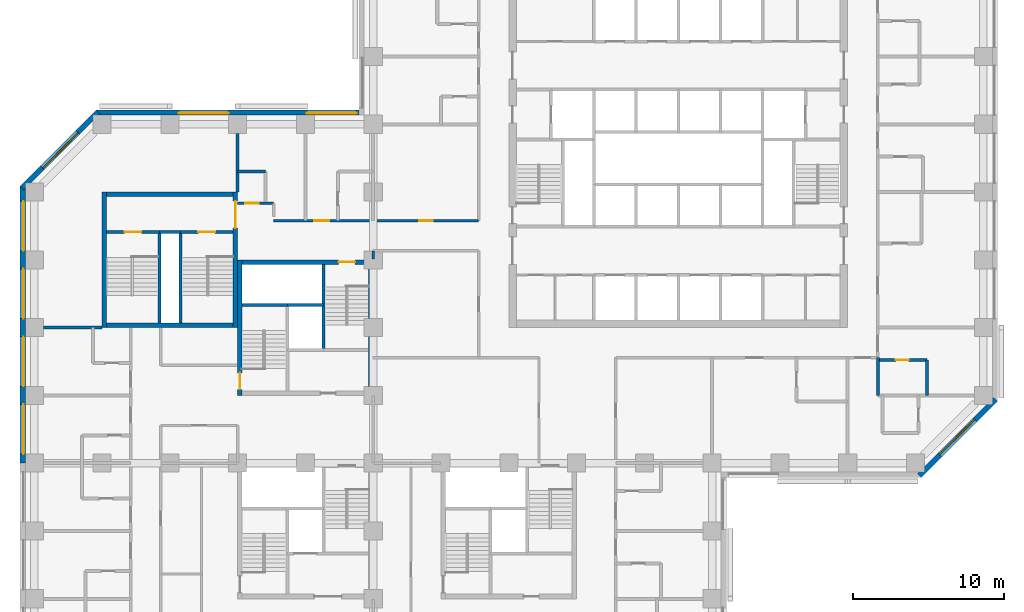
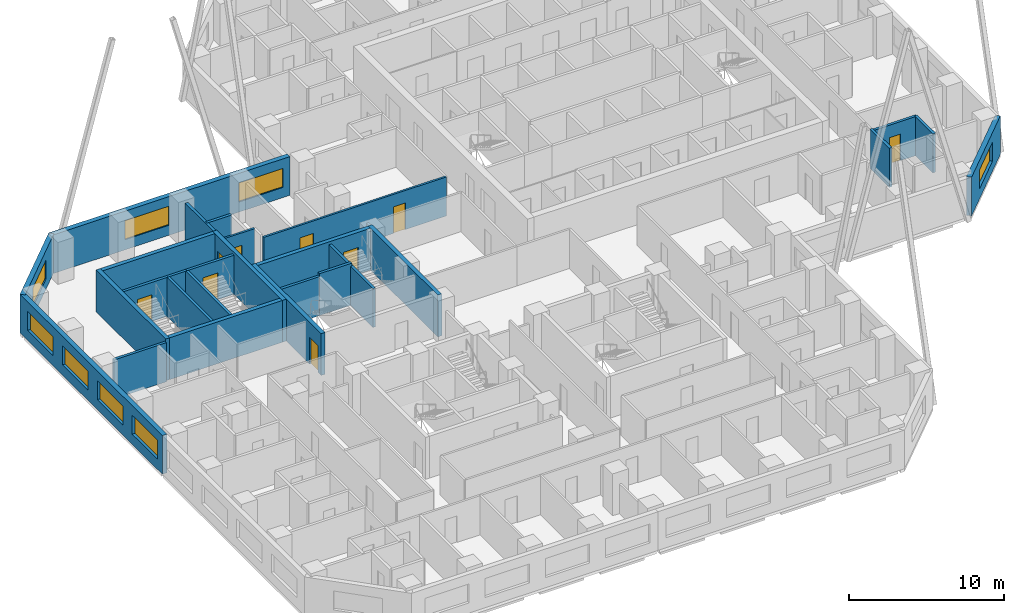
# One storey, part 7 of 14: 28 walls, 9 doors, 8 windows, 17 openings.
"""IFC4 building model written with IfcOpenShell, lengths in metres."""

from ifc_helpers import new_model, si_unit, direction, frame, frame_2d, origin, place, context, subcontext, project, spatial, rectangle, extrude, material, layer, layer_set, constituent, constituent_set, type_object, element, fill, save


model = new_model("IFC4")

# Units and contexts
model_context = context("Model", 3, precision=1e-05, world=origin(), true_north=direction((0.0, 1.0)))
body_context = subcontext(model_context, "Body", "Model", "MODEL_VIEW")
ifc_project = project(units=[si_unit("LENGTHUNIT", "METRE"), si_unit("AREAUNIT", "SQUARE_METRE"), si_unit("VOLUMEUNIT", "CUBIC_METRE"), si_unit("PLANEANGLEUNIT", "RADIAN"), si_unit("MASSUNIT", "GRAM", prefix="KILO")], contexts=[model_context])

# Site, building, storey
site_placement = place(None, origin())
site = spatial("IfcSite", under=ifc_project, at=site_placement, CompositionType="ELEMENT")
building_placement = place(site_placement, origin())
building = spatial("IfcBuilding", under=site, at=building_placement, Name="Quoin Convention Tower", CompositionType="ELEMENT")
storey_placement = place(building_placement, frame((0.0, 0.0, 66.0)))
storey = spatial("IfcBuildingStorey", under=building, at=storey_placement, Name="L17", CompositionType="ELEMENT", Elevation=66.0)

# Wall, opening, window
ifc_material_1 = material(Name="Brick masonry", Category="masonry")
ifc_layer_1 = layer(ifc_material_1, 0.35009765625)
ifc_layer_set_1 = layer_set([ifc_layer_1], Name="Brick masonry")
wall_type_1 = type_object("IfcWallType", Name="Brick facade wall", PredefinedType="STANDARD", material=ifc_layer_set_1)
wall_1_placement = place(storey_placement, frame((72.269775390625, 39.673583984375, 0.0), z_axis=(0.0, 0.0, 1.0), x_axis=(0.707106781187, 0.707106781187, 0.0)))
wall_1 = element("IfcWall", 1, at=wall_1_placement, inside=storey, type_object=wall_type_1, Name="fw-L17-72000_40500", PredefinedType="STANDARD", context=body_context, shape_type="SweptSolid", body=[
    extrude(rectangle(XDim=7.151123046875, YDim=0.35009765625, at=frame_2d((3.57568359375, 0.0))), origin(), (0.0, 0.0, 1.0), 3.054931640625),
])
opening_1_placement = place(wall_1_placement, frame((1.925537109375, 0.0, 0.800048828125)))
opening_1 = element("IfcOpeningElement", 2, at=opening_1_placement, cuts=wall_1, Name="Opening W-01", PredefinedType="OPENING", context=body_context, shape_type="SweptSolid", body=[
    extrude(rectangle(XDim=3.300048828125, YDim=1.5, at=frame_2d((1.64990234375, 0.75))), frame((0.0, 0.18505859375, 0.0), z_axis=(0.0, -1.0, 0.0), x_axis=(1.0, 0.0, 0.0)), (0.0, 0.0, 1.0), 0.3701171875),
])
ifc_material_2 = material(Name="Aluminium", Category="aluminium")
ifc_constituent_1 = constituent(ifc_material_2, Name="Frame")
ifc_material_3 = material(Name="Insulated glass", Category="glass")
ifc_constituent_2 = constituent(ifc_material_3, Name="Glazing")
ifc_constituent_set = constituent_set(constituents=[ifc_constituent_1, ifc_constituent_2], Name="Aluminium")
window_type = type_object("IfcWindowType", Name="Hotel strip window", PartitioningType="DOUBLE_PANEL_VERTICAL", PredefinedType="WINDOW", material=ifc_constituent_set)
window_1_placement = place(opening_1_placement, origin())
window_1 = element("IfcWindow", 3, at=window_1_placement, inside=storey, type_object=window_type, Name="win-L17-74798_42202", OverallHeight=1.5, OverallWidth=3.300048828125, PartitioningType="SINGLE_PANEL", PredefinedType="WINDOW", context=body_context, shape_type="SweptSolid", body=[
    extrude(rectangle(XDim=3.300048828125, YDim=1.5, at=frame_2d((1.64990234375, 0.75))), frame((0.0, 0.0849609375, 0.0), z_axis=(0.0, -1.0, 0.0), x_axis=(1.0, 0.0, 0.0)), (0.0, 0.0, 1.0), 0.06005859375),
])
fill(opening_1, window_1)

# Wall, openings, windows
wall_2_placement = place(storey_placement, frame((35.39990234375, 63.77490234375, 0.0), z_axis=(0.0, 0.0, 1.0), x_axis=(-1.0, 0.0, 0.0)))
wall_2 = element("IfcWall", 4, at=wall_2_placement, inside=storey, type_object=wall_type_1, Name="fw-L17-36000_63000", PredefinedType="STANDARD", context=body_context, shape_type="SweptSolid", body=[
    extrude(rectangle(XDim=17.79345703125, YDim=0.35009765625, at=frame_2d((8.896728515625, 0.0))), origin(), (0.0, 0.0, 1.0), 3.054931640625),
])
opening_2_placement = place(wall_2_placement, frame((0.5, 0.0, 0.800048828125)))
opening_2 = element("IfcOpeningElement", 5, at=opening_2_placement, cuts=wall_2, Name="Opening W-01", PredefinedType="OPENING", context=body_context, shape_type="SweptSolid", body=[
    extrude(rectangle(XDim=3.300048828125, YDim=1.5, at=frame_2d((1.64990234375, 0.75))), frame((0.0, 0.18505859375, 0.0), z_axis=(0.0, -1.0, 0.0), x_axis=(1.0, 0.0, 0.0)), (0.0, 0.0, 1.0), 0.3701171875),
])
opening_3_placement = place(wall_2_placement, frame((9.0, 0.0, 0.800048828125)))
opening_3 = element("IfcOpeningElement", 6, at=opening_3_placement, cuts=wall_2, Name="Opening W-01", PredefinedType="OPENING", context=body_context, shape_type="SweptSolid", body=[
    extrude(rectangle(XDim=3.300048828125, YDim=1.5, at=frame_2d((1.64990234375, 0.75))), frame((0.0, 0.18505859375, 0.0), z_axis=(0.0, -1.0, 0.0), x_axis=(1.0, 0.0, 0.0)), (0.0, 0.0, 1.0), 0.3701171875),
])
window_2_placement = place(opening_2_placement, origin())
window_2 = element("IfcWindow", 7, at=window_2_placement, inside=storey, type_object=window_type, Name="win-L17-33750_63775", OverallHeight=1.5, OverallWidth=3.300048828125, PartitioningType="SINGLE_PANEL", PredefinedType="WINDOW", context=body_context, shape_type="SweptSolid", body=[
    extrude(rectangle(XDim=3.300048828125, YDim=1.5, at=frame_2d((1.64990234375, 0.75))), frame((0.0, 0.0849609375, 0.0), z_axis=(0.0, -1.0, 0.0), x_axis=(1.0, 0.0, 0.0)), (0.0, 0.0, 1.0), 0.06005859375),
])
fill(opening_2, window_2)
window_3_placement = place(opening_3_placement, origin())
window_3 = element("IfcWindow", 8, at=window_3_placement, inside=storey, type_object=window_type, Name="win-L17-24750_63775", OverallHeight=1.5, OverallWidth=3.300048828125, PartitioningType="SINGLE_PANEL", PredefinedType="WINDOW", context=body_context, shape_type="SweptSolid", body=[
    extrude(rectangle(XDim=3.300048828125, YDim=1.5, at=frame_2d((1.64990234375, 0.75))), frame((0.0, 0.0849609375, 0.0), z_axis=(0.0, -1.0, 0.0), x_axis=(1.0, 0.0, 0.0)), (0.0, 0.0, 1.0), 0.06005859375),
])
fill(opening_3, window_3)

# Wall, opening, window
wall_3_placement = place(storey_placement, frame((17.730224609375, 63.826416015625, 0.0), z_axis=(0.0, 0.0, 1.0), x_axis=(-0.707106781187, -0.707106781187, 0.0)))
wall_3 = element("IfcWall", 9, at=wall_3_placement, inside=storey, type_object=wall_type_1, Name="fw-L17-18000_63000", PredefinedType="STANDARD", context=body_context, shape_type="SweptSolid", body=[
    extrude(rectangle(XDim=7.151123046875, YDim=0.35009765625, at=frame_2d((3.57568359375, 0.0))), origin(), (0.0, 0.0, 1.0), 3.054931640625),
])
opening_4_placement = place(wall_3_placement, frame((1.925537109375, 0.0, 0.800048828125)))
opening_4 = element("IfcOpeningElement", 10, at=opening_4_placement, cuts=wall_3, Name="Opening W-01", PredefinedType="OPENING", context=body_context, shape_type="SweptSolid", body=[
    extrude(rectangle(XDim=3.300048828125, YDim=1.5, at=frame_2d((1.64990234375, 0.75))), frame((0.0, 0.18505859375, 0.0), z_axis=(0.0, -1.0, 0.0), x_axis=(1.0, 0.0, 0.0)), (0.0, 0.0, 1.0), 0.3701171875),
])
window_4_placement = place(opening_4_placement, origin())
window_4 = element("IfcWindow", 11, at=window_4_placement, inside=storey, type_object=window_type, Name="win-L17-15202_61298", OverallHeight=1.5, OverallWidth=3.300048828125, PartitioningType="SINGLE_PANEL", PredefinedType="WINDOW", context=body_context, shape_type="SweptSolid", body=[
    extrude(rectangle(XDim=3.300048828125, YDim=1.5, at=frame_2d((1.64990234375, 0.75))), frame((0.0, 0.0849609375, 0.0), z_axis=(0.0, -1.0, 0.0), x_axis=(1.0, 0.0, 0.0)), (0.0, 0.0, 1.0), 0.06005859375),
])
fill(opening_4, window_4)

# Wall, openings, windows
wall_4_placement = place(storey_placement, frame((12.72509765625, 58.8935546875, 0.0), z_axis=(0.0, 0.0, 1.0), x_axis=(0.0, -1.0, 0.0)))
wall_4 = element("IfcWall", 12, at=wall_4_placement, inside=storey, type_object=wall_type_1, Name="fw-L17-13500_58500", PredefinedType="STANDARD", context=body_context, shape_type="SweptSolid", body=[
    extrude(rectangle(XDim=18.3935546875, YDim=0.35009765625, at=frame_2d((9.19677734375, 0.0))), origin(), (0.0, 0.0, 1.0), 3.054931640625),
])
opening_5_placement = place(wall_4_placement, frame((0.993408203125, 0.0, 0.800048828125)))
opening_5 = element("IfcOpeningElement", 13, at=opening_5_placement, cuts=wall_4, Name="Opening W-01", PredefinedType="OPENING", context=body_context, shape_type="SweptSolid", body=[
    extrude(rectangle(XDim=3.300048828125, YDim=1.5, at=frame_2d((1.64990234375, 0.75))), frame((0.0, 0.18505859375, 0.0), z_axis=(0.0, -1.0, 0.0), x_axis=(1.0, 0.0, 0.0)), (0.0, 0.0, 1.0), 0.3701171875),
])
opening_6_placement = place(wall_4_placement, frame((5.493408203125, 0.0, 0.800048828125)))
opening_6 = element("IfcOpeningElement", 14, at=opening_6_placement, cuts=wall_4, Name="Opening W-01", PredefinedType="OPENING", context=body_context, shape_type="SweptSolid", body=[
    extrude(rectangle(XDim=3.300048828125, YDim=1.5, at=frame_2d((1.64990234375, 0.75))), frame((0.0, 0.18505859375, 0.0), z_axis=(0.0, -1.0, 0.0), x_axis=(1.0, 0.0, 0.0)), (0.0, 0.0, 1.0), 0.3701171875),
])
opening_7_placement = place(wall_4_placement, frame((9.993408203125, 0.0, 0.800048828125)))
opening_7 = element("IfcOpeningElement", 15, at=opening_7_placement, cuts=wall_4, Name="Opening W-01", PredefinedType="OPENING", context=body_context, shape_type="SweptSolid", body=[
    extrude(rectangle(XDim=3.300048828125, YDim=1.5, at=frame_2d((1.64990234375, 0.75))), frame((0.0, 0.18505859375, 0.0), z_axis=(0.0, -1.0, 0.0), x_axis=(1.0, 0.0, 0.0)), (0.0, 0.0, 1.0), 0.3701171875),
])
opening_8_placement = place(wall_4_placement, frame((14.493408203125, 0.0, 0.800048828125)))
opening_8 = element("IfcOpeningElement", 16, at=opening_8_placement, cuts=wall_4, Name="Opening W-01", PredefinedType="OPENING", context=body_context, shape_type="SweptSolid", body=[
    extrude(rectangle(XDim=3.300048828125, YDim=1.5, at=frame_2d((1.64990234375, 0.75))), frame((0.0, 0.18505859375, 0.0), z_axis=(0.0, -1.0, 0.0), x_axis=(1.0, 0.0, 0.0)), (0.0, 0.0, 1.0), 0.3701171875),
])
window_5_placement = place(opening_5_placement, origin())
window_5 = element("IfcWindow", 17, at=window_5_placement, inside=storey, type_object=window_type, Name="win-L17-12725_56250", OverallHeight=1.5, OverallWidth=3.300048828125, PartitioningType="SINGLE_PANEL", PredefinedType="WINDOW", context=body_context, shape_type="SweptSolid", body=[
    extrude(rectangle(XDim=3.300048828125, YDim=1.5, at=frame_2d((1.64990234375, 0.75))), frame((0.0, 0.0849609375, 0.0), z_axis=(0.0, -1.0, 0.0), x_axis=(1.0, 0.0, 0.0)), (0.0, 0.0, 1.0), 0.06005859375),
])
fill(opening_5, window_5)
window_6_placement = place(opening_6_placement, origin())
window_6 = element("IfcWindow", 18, at=window_6_placement, inside=storey, type_object=window_type, Name="win-L17-12725_51750", OverallHeight=1.5, OverallWidth=3.300048828125, PartitioningType="SINGLE_PANEL", PredefinedType="WINDOW", context=body_context, shape_type="SweptSolid", body=[
    extrude(rectangle(XDim=3.300048828125, YDim=1.5, at=frame_2d((1.64990234375, 0.75))), frame((0.0, 0.0849609375, 0.0), z_axis=(0.0, -1.0, 0.0), x_axis=(1.0, 0.0, 0.0)), (0.0, 0.0, 1.0), 0.06005859375),
])
fill(opening_6, window_6)
window_7_placement = place(opening_7_placement, origin())
window_7 = element("IfcWindow", 19, at=window_7_placement, inside=storey, type_object=window_type, Name="win-L17-12725_47250", OverallHeight=1.5, OverallWidth=3.300048828125, PartitioningType="SINGLE_PANEL", PredefinedType="WINDOW", context=body_context, shape_type="SweptSolid", body=[
    extrude(rectangle(XDim=3.300048828125, YDim=1.5, at=frame_2d((1.64990234375, 0.75))), frame((0.0, 0.0849609375, 0.0), z_axis=(0.0, -1.0, 0.0), x_axis=(1.0, 0.0, 0.0)), (0.0, 0.0, 1.0), 0.06005859375),
])
fill(opening_7, window_7)
window_8_placement = place(opening_8_placement, origin())
window_8 = element("IfcWindow", 20, at=window_8_placement, inside=storey, type_object=window_type, Name="win-L17-12725_42750", OverallHeight=1.5, OverallWidth=3.300048828125, PartitioningType="SINGLE_PANEL", PredefinedType="WINDOW", context=body_context, shape_type="SweptSolid", body=[
    extrude(rectangle(XDim=3.300048828125, YDim=1.5, at=frame_2d((1.64990234375, 0.75))), frame((0.0, 0.0849609375, 0.0), z_axis=(0.0, -1.0, 0.0), x_axis=(1.0, 0.0, 0.0)), (0.0, 0.0, 1.0), 0.06005859375),
])
fill(opening_8, window_8)

# Walls
ifc_material_4 = material(Name="Concrete C50", Category="concrete")
ifc_layer_2 = layer(ifc_material_4, 0.199951171875)
ifc_layer_set_2 = layer_set([ifc_layer_2], Name="Concrete C50")
wall_type_2 = type_object("IfcWallType", Name="Core shaft wall", PredefinedType="SOLIDWALL", material=ifc_layer_set_2)
wall_5_placement = place(storey_placement, frame((27.300048828125, 51.0, 0.0), z_axis=(0.0, 0.0, 1.0), x_axis=(1.0, 0.0, 0.0)))
element("IfcWall", 21, at=wall_5_placement, inside=storey, type_object=wall_type_2, Name="cr-P2-L17-h6000_300", PredefinedType="SOLIDWALL", context=body_context, shape_type="SweptSolid", body=[
    extrude(rectangle(XDim=3.0, YDim=0.199951171875, at=frame_2d((1.5, 0.0))), origin(), (0.0, 0.0, 1.0), 3.080078125),
])
wall_6_placement = place(storey_placement, frame((32.699951171875, 48.0, 0.0), z_axis=(0.0, 0.0, 1.0), x_axis=(0.0, 1.0, 0.0)))
element("IfcWall", 22, at=wall_6_placement, inside=storey, type_object=wall_type_2, Name="cr-P2-L17-v5700_3000", PredefinedType="SOLIDWALL", context=body_context, shape_type="SweptSolid", body=[
    extrude(rectangle(XDim=5.699951171875, YDim=0.199951171875, at=frame_2d((2.85009765625, 0.0))), origin(), (0.0, 0.0, 1.0), 3.080078125),
])
wall_7_placement = place(storey_placement, frame((21.800048828125, 55.85009765625, 0.0), z_axis=(0.0, 0.0, 1.0), x_axis=(1.0, 0.0, 0.0)))
element("IfcWall", 23, at=wall_7_placement, inside=storey, type_object=wall_type_2, Name="cr-P6-L17-h6350_3800", PredefinedType="SOLIDWALL", context=body_context, shape_type="SweptSolid", body=[
    extrude(rectangle(XDim=1.39990234375, YDim=0.199951171875, at=frame_2d((0.699951171875, 0.0))), origin(), (0.0, 0.0, 1.0), 3.080078125),
])

# Wall, opening, door
wall_8_placement = place(storey_placement, frame((18.300048828125, 55.85009765625, 0.0), z_axis=(0.0, 0.0, 1.0), x_axis=(1.0, 0.0, 0.0)))
wall_8 = element("IfcWall", 24, at=wall_8_placement, inside=storey, type_object=wall_type_2, Name="cr-P6-L17-h6350_300", PredefinedType="SOLIDWALL", context=body_context, shape_type="SweptSolid", body=[
    extrude(rectangle(XDim=3.5, YDim=0.199951171875, at=frame_2d((1.75, 0.0))), origin(), (0.0, 0.0, 1.0), 3.080078125),
])
opening_9_placement = place(wall_8_placement, frame((1.199951171875, 0.0, 0.0)))
opening_9 = element("IfcOpeningElement", 25, at=opening_9_placement, cuts=wall_8, Name="Opening SD11", PredefinedType="OPENING", context=body_context, shape_type="SweptSolid", body=[
    extrude(rectangle(XDim=1.10009765625, YDim=2.10009765625, at=frame_2d((0.550048828125, 1.050048828125))), frame((0.0, 0.10986328125, 0.0), z_axis=(0.0, -1.0, 0.0), x_axis=(1.0, 0.0, 0.0)), (0.0, 0.0, 1.0), 0.219970703125),
])
ifc_material_5 = material(Name="Steel door leaf", Category="steel")
door_type_1 = type_object("IfcDoorType", Name="Stair door 1100 x 2100", OperationType="SINGLE_SWING_RIGHT", PredefinedType="DOOR", material=ifc_material_5)
door_1_placement = place(opening_9_placement, origin())
door_1 = element("IfcDoor", 26, at=door_1_placement, inside=storey, type_object=door_type_1, Name="cd-P6-L17-SA-R2-SD11", OperationType="SINGLE_SWING_RIGHT", OverallHeight=2.10009765625, OverallWidth=1.10009765625, PredefinedType="DOOR", context=body_context, shape_type="SweptSolid", body=[
    extrude(rectangle(XDim=1.10009765625, YDim=2.10009765625, at=frame_2d((0.550048828125, 1.050048828125))), frame((0.0, 0.02490234375, 0.0), z_axis=(0.0, -1.0, 0.0), x_axis=(1.0, 0.0, 0.0)), (0.0, 0.0, 1.0), 0.050048828125),
])
fill(opening_9, door_1)

wall_9_placement = place(storey_placement, frame((23.199951171875, 55.85009765625, 0.0), z_axis=(0.0, 0.0, 1.0), x_axis=(1.0, 0.0, 0.0)))
wall_9 = element("IfcWall", 27, at=wall_9_placement, inside=storey, type_object=wall_type_2, Name="cr-P6-L17-h6350_5200", PredefinedType="SOLIDWALL", context=body_context, shape_type="SweptSolid", body=[
    extrude(rectangle(XDim=3.5, YDim=0.199951171875, at=frame_2d((1.75, 0.0))), origin(), (0.0, 0.0, 1.0), 3.080078125),
])
opening_10_placement = place(wall_9_placement, frame((1.199951171875, 0.0, 0.0)))
opening_10 = element("IfcOpeningElement", 28, at=opening_10_placement, cuts=wall_9, Name="Opening SD12", PredefinedType="OPENING", context=body_context, shape_type="SweptSolid", body=[
    extrude(rectangle(XDim=1.10009765625, YDim=2.10009765625, at=frame_2d((0.550048828125, 1.050048828125))), frame((0.0, 0.10986328125, 0.0), z_axis=(0.0, -1.0, 0.0), x_axis=(1.0, 0.0, 0.0)), (0.0, 0.0, 1.0), 0.219970703125),
])
door_2_placement = place(opening_10_placement, origin())
door_2 = element("IfcDoor", 29, at=door_2_placement, inside=storey, type_object=door_type_1, Name="cd-P6-L17-SB-R2-SD12", OperationType="SINGLE_SWING_RIGHT", OverallHeight=2.10009765625, OverallWidth=1.10009765625, PredefinedType="DOOR", context=body_context, shape_type="SweptSolid", body=[
    extrude(rectangle(XDim=1.10009765625, YDim=2.10009765625, at=frame_2d((0.550048828125, 1.050048828125))), frame((0.0, 0.02490234375, 0.0), z_axis=(0.0, -1.0, 0.0), x_axis=(1.0, 0.0, 0.0)), (0.0, 0.0, 1.0), 0.050048828125),
])
fill(opening_10, door_2)

# Walls
for number, where, z_axis, x_axis, name in (
    (30, (21.800048828125, 49.800048828125, 0.0), (0.0, 0.0, 1.0), (0.0, 1.0, 0.0), "cr-P6-L17-v3800_300"),
    (31, (23.199951171875, 49.800048828125, 0.0), (0.0, 0.0, 1.0), (0.0, 1.0, 0.0), "cr-P6-L17-v5200_300"),
):
    element("IfcWall", number, at=place(storey_placement, frame(where, z_axis=z_axis, x_axis=x_axis)), inside=storey, type_object=wall_type_2, Name=name, PredefinedType="SOLIDWALL", context=body_context, shape_type="SweptSolid", body=[
        extrude(rectangle(XDim=6.050048828125, YDim=0.199951171875, at=frame_2d((3.02490234375, 0.0))), origin(), (0.0, 0.0, 1.0), 3.080078125),
    ])
ifc_layer_3 = layer(ifc_material_4, 0.199951171875)
ifc_layer_set_3 = layer_set([ifc_layer_3], Name="Concrete C50")
wall_type_3 = type_object("IfcWallType", Name="Core shaft wall to the floor level over", PredefinedType="SOLIDWALL", material=ifc_layer_set_3)
wall_10_placement = place(storey_placement, frame((30.300048828125, 51.0, 0.0), z_axis=(0.0, 0.0, 1.0), x_axis=(1.0, 0.0, 0.0)))
element("IfcWall", 32, at=wall_10_placement, inside=storey, type_object=wall_type_3, Name="cr-P2-L17-h6000_3300", PredefinedType="SOLIDWALL", context=body_context, shape_type="SweptSolid", body=[
    extrude(rectangle(XDim=2.39990234375, YDim=0.199951171875, at=frame_2d((1.199951171875, 0.0))), origin(), (0.0, 0.0, 1.0), 3.300048828125),
])

# Wall, opening, door
ifc_material_6 = material(Name="Concrete C80", Category="concrete")
ifc_layer_4 = layer(ifc_material_6, 0.300048828125)
ifc_layer_set_4 = layer_set([ifc_layer_4], Name="Concrete C80")
wall_type_4 = type_object("IfcWallType", Name="RC CORE WALL 300 C80", PredefinedType="SHEAR", material=ifc_layer_set_4)
wall_11_placement = place(storey_placement, frame((27.300048828125, 53.85009765625, 0.0), z_axis=(0.0, 0.0, 1.0), x_axis=(1.0, 0.0, 0.0)))
wall_11 = element("IfcWall", 33, at=wall_11_placement, inside=storey, type_object=wall_type_4, Name="cwl-P2-L17-N", PredefinedType="SHEAR", context=body_context, shape_type="SweptSolid", body=[
    extrude(rectangle(XDim=8.39990234375, YDim=0.300048828125, at=frame_2d((4.199951171875, 0.0))), origin(), (0.0, 0.0, 1.0), 3.300048828125),
])
opening_11_placement = place(wall_11_placement, frame((6.39990234375, 0.0, 0.0)))
opening_11 = element("IfcOpeningElement", 34, at=opening_11_placement, cuts=wall_11, Name="Opening SD4", PredefinedType="OPENING", context=body_context, shape_type="SweptSolid", body=[
    extrude(rectangle(XDim=1.10009765625, YDim=2.10009765625, at=frame_2d((0.550048828125, 1.050048828125))), frame((0.0, 0.159912109375, 0.0), z_axis=(0.0, -1.0, 0.0), x_axis=(1.0, 0.0, 0.0)), (0.0, 0.0, 1.0), 0.320068359375),
])
door_3_placement = place(opening_11_placement, frame((1.10009765625, 0.0, 0.0), z_axis=(0.0, 0.0, 1.0), x_axis=(-1.0, 0.0, 0.0)))
door_3 = element("IfcDoor", 35, at=door_3_placement, inside=storey, type_object=door_type_1, Name="cd-P2-L17-SB-N", OperationType="SINGLE_SWING_LEFT", OverallHeight=2.10009765625, OverallWidth=1.10009765625, PredefinedType="DOOR", context=body_context, shape_type="SweptSolid", body=[
    extrude(rectangle(XDim=1.10009765625, YDim=2.10009765625, at=frame_2d((0.550048828125, 1.050048828125))), frame((0.0, 0.02490234375, 0.0), z_axis=(0.0, -1.0, 0.0), x_axis=(1.0, 0.0, 0.0)), (0.0, 0.0, 1.0), 0.050048828125),
])
fill(opening_11, door_3)

wall_12_placement = place(storey_placement, frame((27.14990234375, 45.0, 0.0), z_axis=(0.0, 0.0, 1.0), x_axis=(0.0, 1.0, 0.0)))
wall_12 = element("IfcWall", 36, at=wall_12_placement, inside=storey, type_object=wall_type_4, Name="cwl-P2-L17-W", PredefinedType="SHEAR", context=body_context, shape_type="SweptSolid", body=[
    extrude(rectangle(XDim=9.0, YDim=0.300048828125, at=frame_2d((4.5, 0.0))), origin(), (0.0, 0.0, 1.0), 3.300048828125),
])
opening_12_placement = place(wall_12_placement, frame((0.39990234375, 0.0, 0.0)))
opening_12 = element("IfcOpeningElement", 37, at=opening_12_placement, cuts=wall_12, Name="Opening SD3", PredefinedType="OPENING", context=body_context, shape_type="SweptSolid", body=[
    extrude(rectangle(XDim=1.10009765625, YDim=2.10009765625, at=frame_2d((0.550048828125, 1.050048828125))), frame((0.0, 0.159912109375, 0.0), z_axis=(0.0, -1.0, 0.0), x_axis=(1.0, 0.0, 0.0)), (0.0, 0.0, 1.0), 0.320068359375),
])
door_4_placement = place(opening_12_placement, frame((1.10009765625, 0.0, 0.0), z_axis=(0.0, 0.0, 1.0), x_axis=(-1.0, 0.0, 0.0)))
door_4 = element("IfcDoor", 38, at=door_4_placement, inside=storey, type_object=door_type_1, Name="cd-P2-L17-SA-W", OperationType="SINGLE_SWING_RIGHT", OverallHeight=2.10009765625, OverallWidth=1.10009765625, PredefinedType="DOOR", context=body_context, shape_type="SweptSolid", body=[
    extrude(rectangle(XDim=1.10009765625, YDim=2.10009765625, at=frame_2d((0.550048828125, 1.050048828125))), frame((0.0, 0.02490234375, 0.0), z_axis=(0.0, -1.0, 0.0), x_axis=(1.0, 0.0, 0.0)), (0.0, 0.0, 1.0), 0.050048828125),
])
fill(opening_12, door_4)

# Walls
wall_13_placement = place(storey_placement, frame((35.85009765625, 45.0, 0.0), z_axis=(0.0, 0.0, 1.0), x_axis=(0.0, 1.0, 0.0)))
element("IfcWall", 39, at=wall_13_placement, inside=storey, type_object=wall_type_4, Name="cwl-P2-L17-E", PredefinedType="SHEAR", context=body_context, shape_type="SweptSolid", body=[
    extrude(rectangle(XDim=9.0, YDim=0.300048828125, at=frame_2d((4.5, 0.0))), origin(), (0.0, 0.0, 1.0), 3.300048828125),
])
for number, where, z_axis, x_axis, name in (
    (40, (18.300048828125, 49.64990234375, 0.0), (0.0, 0.0, 1.0), (1.0, 0.0, 0.0), "cwl-P6-L17-S"),
    (41, (18.300048828125, 58.35009765625, 0.0), (0.0, 0.0, 1.0), (1.0, 0.0, 0.0), "cwl-P6-L17-N"),
):
    element("IfcWall", number, at=place(storey_placement, frame(where, z_axis=z_axis, x_axis=x_axis)), inside=storey, type_object=wall_type_4, Name=name, PredefinedType="SHEAR", context=body_context, shape_type="SweptSolid", body=[
        extrude(rectangle(XDim=8.39990234375, YDim=0.300048828125, at=frame_2d((4.199951171875, 0.0))), origin(), (0.0, 0.0, 1.0), 3.300048828125),
    ])
wall_14_placement = place(storey_placement, frame((18.14990234375, 49.5, 0.0), z_axis=(0.0, 0.0, 1.0), x_axis=(0.0, 1.0, 0.0)))
element("IfcWall", 42, at=wall_14_placement, inside=storey, type_object=wall_type_4, Name="cwl-P6-L17-W", PredefinedType="SHEAR", context=body_context, shape_type="SweptSolid", body=[
    extrude(rectangle(XDim=9.0, YDim=0.300048828125, at=frame_2d((4.5, 0.0))), origin(), (0.0, 0.0, 1.0), 3.300048828125),
])

# Wall, opening, door
wall_15_placement = place(storey_placement, frame((26.85009765625, 49.5, 0.0), z_axis=(0.0, 0.0, 1.0), x_axis=(0.0, 1.0, 0.0)))
wall_15 = element("IfcWall", 43, at=wall_15_placement, inside=storey, type_object=wall_type_4, Name="cwl-P6-L17-E", PredefinedType="SHEAR", context=body_context, shape_type="SweptSolid", body=[
    extrude(rectangle(XDim=9.0, YDim=0.300048828125, at=frame_2d((4.5, 0.0))), origin(), (0.0, 0.0, 1.0), 3.300048828125),
])
opening_13_placement = place(wall_15_placement, frame((6.60009765625, 0.0, 0.0)))
opening_13 = element("IfcOpeningElement", 44, at=opening_13_placement, cuts=wall_15, Name="Opening DCV0-64", PredefinedType="OPENING", context=body_context, shape_type="SweptSolid", body=[
    extrude(rectangle(XDim=1.800048828125, YDim=2.10009765625, at=frame_2d((0.89990234375, 1.050048828125))), frame((0.0, 0.159912109375, 0.0), z_axis=(0.0, -1.0, 0.0), x_axis=(1.0, 0.0, 0.0)), (0.0, 0.0, 1.0), 0.320068359375),
])
door_type_2 = type_object("IfcDoorType", Name="Goods lobby door 1800 x 2100", OperationType="SINGLE_SWING_LEFT", PredefinedType="DOOR", material=ifc_material_5)
door_5_placement = place(opening_13_placement, origin())
door_5 = element("IfcDoor", 45, at=door_5_placement, inside=storey, type_object=door_type_2, Name="cd-P6-L17-R2-E", OperationType="SINGLE_SWING_LEFT", OverallHeight=2.10009765625, OverallWidth=1.800048828125, PredefinedType="DOOR", context=body_context, shape_type="SweptSolid", body=[
    extrude(rectangle(XDim=1.800048828125, YDim=2.10009765625, at=frame_2d((0.89990234375, 1.050048828125))), frame((0.0, 0.02490234375, 0.0), z_axis=(0.0, -1.0, 0.0), x_axis=(1.0, 0.0, 0.0)), (0.0, 0.0, 1.0), 0.050048828125),
])
fill(opening_13, door_5)

# Walls
ifc_layer_5 = layer(ifc_material_4, 0.199951171875)
ifc_layer_set_5 = layer_set([ifc_layer_5], Name="Concrete C50")
wall_type_5 = type_object("IfcWallType", Name="RC party wall", PredefinedType="SOLIDWALL", material=ifc_layer_set_5)
wall_16_placement = place(storey_placement, frame((69.5, 45.0, 0.0), z_axis=(0.0, 0.0, 1.0), x_axis=(0.0, 1.0, 0.0)))
element("IfcWall", 46, at=wall_16_placement, inside=storey, type_object=wall_type_5, Name="pw-L17-082", PredefinedType="SOLIDWALL", context=body_context, shape_type="SweptSolid", body=[
    extrude(rectangle(XDim=2.5, YDim=0.199951171875, at=frame_2d((1.25, 0.0))), origin(), (0.0, 0.0, 1.0), 3.080078125),
])
wall_17_placement = place(storey_placement, frame((72.75, 45.0, 0.0), z_axis=(0.0, 0.0, 1.0), x_axis=(0.0, 1.0, 0.0)))
element("IfcWall", 47, at=wall_17_placement, inside=storey, type_object=wall_type_5, Name="pw-L17-083", PredefinedType="SOLIDWALL", context=body_context, shape_type="SweptSolid", body=[
    extrude(rectangle(XDim=2.35009765625, YDim=0.199951171875, at=frame_2d((1.175048828125, 0.0))), origin(), (0.0, 0.0, 1.0), 3.080078125),
])

# Wall, opening, door
wall_18_placement = place(storey_placement, frame((69.5, 47.35009765625, 0.0), z_axis=(0.0, 0.0, 1.0), x_axis=(1.0, 0.0, 0.0)))
wall_18 = element("IfcWall", 48, at=wall_18_placement, inside=storey, type_object=wall_type_5, Name="pw-L17-086", PredefinedType="SOLIDWALL", context=body_context, shape_type="SweptSolid", body=[
    extrude(rectangle(XDim=3.25, YDim=0.199951171875, at=frame_2d((1.625, 0.0))), origin(), (0.0, 0.0, 1.0), 3.080078125),
])
opening_14_placement = place(wall_18_placement, frame((1.199951171875, 0.0, 0.0)))
opening_14 = element("IfcOpeningElement", 49, at=opening_14_placement, cuts=wall_18, Name="Opening DHOTEL-G-61", PredefinedType="OPENING", context=body_context, shape_type="SweptSolid", body=[
    extrude(rectangle(XDim=0.85009765625, YDim=2.10009765625, at=frame_2d((0.425048828125, 1.050048828125))), frame((0.0, 0.10986328125, 0.0), z_axis=(0.0, -1.0, 0.0), x_axis=(1.0, 0.0, 0.0)), (0.0, 0.0, 1.0), 0.219970703125),
])
door_type_3 = type_object("IfcDoorType", Name="Bathroom door", OperationType="SINGLE_SWING_LEFT", PredefinedType="DOOR", material=ifc_material_5)
door_6_placement = place(opening_14_placement, origin())
door_6 = element("IfcDoor", 50, at=door_6_placement, inside=storey, type_object=door_type_3, Name="dr-L17-062", OperationType="SINGLE_SWING_LEFT", OverallHeight=2.10009765625, OverallWidth=0.85009765625, PredefinedType="DOOR", context=body_context, shape_type="SweptSolid", body=[
    extrude(rectangle(XDim=0.85009765625, YDim=2.10009765625, at=frame_2d((0.425048828125, 1.050048828125))), frame((0.0, 0.02490234375, 0.0), z_axis=(0.0, -1.0, 0.0), x_axis=(1.0, 0.0, 0.0)), (0.0, 0.0, 1.0), 0.050048828125),
])
fill(opening_14, door_6)

# Walls
for number, where, z_axis, x_axis, name in (
    (51, (14.10009765625, 49.5, 0.0), (0.0, 0.0, 1.0), (1.0, 0.0, 0.0), "pw-L17-087"),
    (52, (27.0, 58.5, 0.0), (0.0, 0.0, 1.0), (0.0, 1.0, 0.0), "pw-L17-096"),
):
    element("IfcWall", number, at=place(storey_placement, frame(where, z_axis=z_axis, x_axis=x_axis)), inside=storey, type_object=wall_type_5, Name=name, PredefinedType="SOLIDWALL", context=body_context, shape_type="SweptSolid", body=[
        extrude(rectangle(XDim=3.89990234375, YDim=0.199951171875, at=frame_2d((1.949951171875, 0.0))), origin(), (0.0, 0.0, 1.0), 3.080078125),
    ])
wall_19_placement = place(storey_placement, frame((27.0, 59.85009765625, 0.0), z_axis=(0.0, 0.0, 1.0), x_axis=(1.0, 0.0, 0.0)))
element("IfcWall", 53, at=wall_19_placement, inside=storey, type_object=wall_type_5, Name="pw-L17-106", PredefinedType="SOLIDWALL", context=body_context, shape_type="SweptSolid", body=[
    extrude(rectangle(XDim=1.85009765625, YDim=0.199951171875, at=frame_2d((0.925048828125, 0.0))), origin(), (0.0, 0.0, 1.0), 3.080078125),
])
ifc_material_7 = material(Name="Plasterboard")
ifc_layer_6 = layer(ifc_material_7, 0.012451171875, Name="Finish")
ifc_material_8 = material(Name="Steel stud framing", Category="steel")
ifc_layer_7 = layer(ifc_material_8, 0.125, Name="Structure")
ifc_layer_8 = layer(ifc_material_7, 0.012451171875, Name="Finish")
ifc_layer_set_6 = layer_set([ifc_layer_6, ifc_layer_7, ifc_layer_8], Name="Steel stud framing")
wall_type_6 = type_object("IfcWallType", Name="corridor partition", PredefinedType="PARTITIONING", material=ifc_layer_set_6)
wall_20_placement = place(storey_placement, frame((36.0, 54.050048828125, 0.0), z_axis=(0.0, 0.0, 1.0), x_axis=(0.0, 1.0, 0.0)))
element("IfcWall", 54, at=wall_20_placement, inside=storey, type_object=wall_type_6, Name="pw-L17-033", PredefinedType="PARTITIONING", context=body_context, shape_type="SweptSolid", body=[
    extrude(rectangle(XDim=0.550048828125, YDim=0.14990234375, at=frame_2d((0.27490234375, 0.0))), origin(), (0.0, 0.0, 1.0), 3.080078125),
])

# Wall, openings, doors
wall_21_placement = place(storey_placement, frame((29.3798828125, 56.60009765625, 0.0), z_axis=(0.0, 0.0, 1.0), x_axis=(1.0, 0.0, 0.0)))
wall_21 = element("IfcWall", 55, at=wall_21_placement, inside=storey, type_object=wall_type_6, Name="pw-L17-036", PredefinedType="PARTITIONING", context=body_context, shape_type="SweptSolid", body=[
    extrude(rectangle(XDim=13.6201171875, YDim=0.14990234375, at=frame_2d((6.81005859375, 0.0))), origin(), (0.0, 0.0, 1.0), 3.080078125),
])
opening_15_placement = place(wall_21_placement, frame((2.695068359375, 0.0, 0.0)))
opening_15 = element("IfcOpeningElement", 56, at=opening_15_placement, cuts=wall_21, Name="Opening DHOTEL-G-35", PredefinedType="OPENING", context=body_context, shape_type="SweptSolid", body=[
    extrude(rectangle(XDim=1.0, YDim=2.10009765625, at=frame_2d((0.5, 1.050048828125))), frame((0.0, 0.0849609375, 0.0), z_axis=(0.0, -1.0, 0.0), x_axis=(1.0, 0.0, 0.0)), (0.0, 0.0, 1.0), 0.169921875),
])
opening_16_placement = place(wall_21_placement, frame((9.669921875, 0.0, 0.0)))
opening_16 = element("IfcOpeningElement", 57, at=opening_16_placement, cuts=wall_21, Name="Opening DHOTEL-G-36", PredefinedType="OPENING", context=body_context, shape_type="SweptSolid", body=[
    extrude(rectangle(XDim=0.89990234375, YDim=2.10009765625, at=frame_2d((0.449951171875, 1.050048828125))), frame((0.0, 0.0849609375, 0.0), z_axis=(0.0, -1.0, 0.0), x_axis=(1.0, 0.0, 0.0)), (0.0, 0.0, 1.0), 0.169921875),
])
door_type_4 = type_object("IfcDoorType", Name="Hotel room door", OperationType="SINGLE_SWING_LEFT", PredefinedType="DOOR", material=ifc_material_5)
door_7_placement = place(opening_15_placement, origin())
door_7 = element("IfcDoor", 58, at=door_7_placement, inside=storey, type_object=door_type_4, Name="dr-L17-029", OperationType="SINGLE_SWING_RIGHT", OverallHeight=2.10009765625, OverallWidth=1.0, PredefinedType="DOOR", context=body_context, shape_type="SweptSolid", body=[
    extrude(rectangle(XDim=1.0, YDim=2.10009765625, at=frame_2d((0.5, 1.050048828125))), frame((0.0, 0.02490234375, 0.0), z_axis=(0.0, -1.0, 0.0), x_axis=(1.0, 0.0, 0.0)), (0.0, 0.0, 1.0), 0.050048828125),
])
fill(opening_15, door_7)
door_type_5 = type_object("IfcDoorType", Name="Toilet door", OperationType="SINGLE_SWING_LEFT", PredefinedType="DOOR", material=ifc_material_5)
door_8_placement = place(opening_16_placement, origin())
door_8 = element("IfcDoor", 59, at=door_8_placement, inside=storey, type_object=door_type_5, Name="dr-L17-084", OperationType="SINGLE_SWING_RIGHT", OverallHeight=2.10009765625, OverallWidth=0.89990234375, PredefinedType="DOOR", context=body_context, shape_type="SweptSolid", body=[
    extrude(rectangle(XDim=0.89990234375, YDim=2.10009765625, at=frame_2d((0.449951171875, 1.050048828125))), frame((0.0, 0.02490234375, 0.0), z_axis=(0.0, -1.0, 0.0), x_axis=(1.0, 0.0, 0.0)), (0.0, 0.0, 1.0), 0.050048828125),
])
fill(opening_16, door_8)

# Wall, opening, door
wall_22_placement = place(storey_placement, frame((27.0, 57.75, 0.0), z_axis=(0.0, 0.0, 1.0), x_axis=(1.0, 0.0, 0.0)))
wall_22 = element("IfcWall", 60, at=wall_22_placement, inside=storey, type_object=wall_type_6, Name="pw-L17-w01", PredefinedType="PARTITIONING", context=body_context, shape_type="SweptSolid", body=[
    extrude(rectangle(XDim=2.364990234375, YDim=0.14990234375, at=frame_2d((1.1826171875, 0.0))), origin(), (0.0, 0.0, 1.0), 3.080078125),
])
opening_17_placement = place(wall_22_placement, frame((0.5, 0.0, 0.0)))
opening_17 = element("IfcOpeningElement", 61, at=opening_17_placement, cuts=wall_22, Name="Opening DHOTEL-G-78", PredefinedType="OPENING", context=body_context, shape_type="SweptSolid", body=[
    extrude(rectangle(XDim=0.89990234375, YDim=2.10009765625, at=frame_2d((0.449951171875, 1.050048828125))), frame((0.0, 0.0849609375, 0.0), z_axis=(0.0, -1.0, 0.0), x_axis=(1.0, 0.0, 0.0)), (0.0, 0.0, 1.0), 0.169921875),
])
door_type_6 = type_object("IfcDoorType", Name="Single room door", OperationType="SINGLE_SWING_RIGHT", PredefinedType="DOOR", material=ifc_material_5)
door_9_placement = place(opening_17_placement, origin())
door_9 = element("IfcDoor", 62, at=door_9_placement, inside=storey, type_object=door_type_6, Name="dr-L17-w01", OperationType="SINGLE_SWING_RIGHT", OverallHeight=2.10009765625, OverallWidth=0.89990234375, PredefinedType="DOOR", context=body_context, shape_type="SweptSolid", body=[
    extrude(rectangle(XDim=0.89990234375, YDim=2.10009765625, at=frame_2d((0.449951171875, 1.050048828125))), frame((0.0, 0.02490234375, 0.0), z_axis=(0.0, -1.0, 0.0), x_axis=(1.0, 0.0, 0.0)), (0.0, 0.0, 1.0), 0.050048828125),
])
fill(opening_17, door_9)

save(model, "model.ifc")
